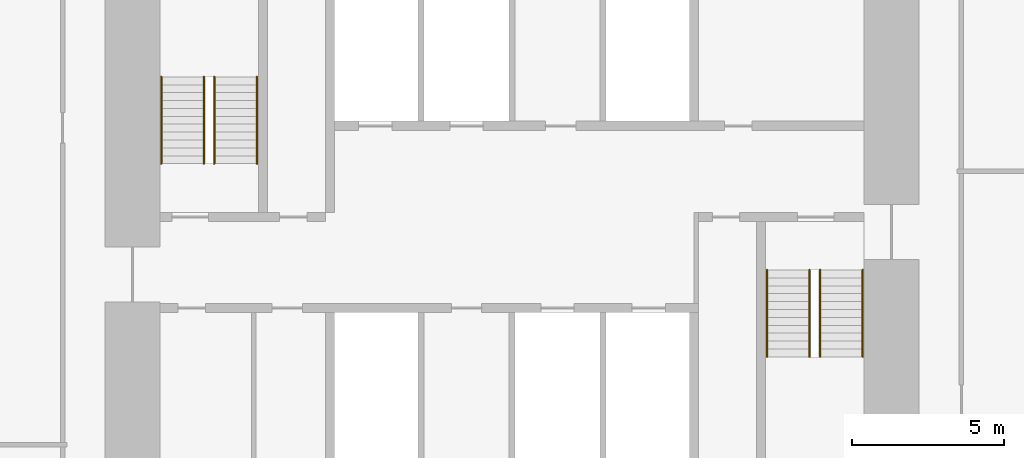
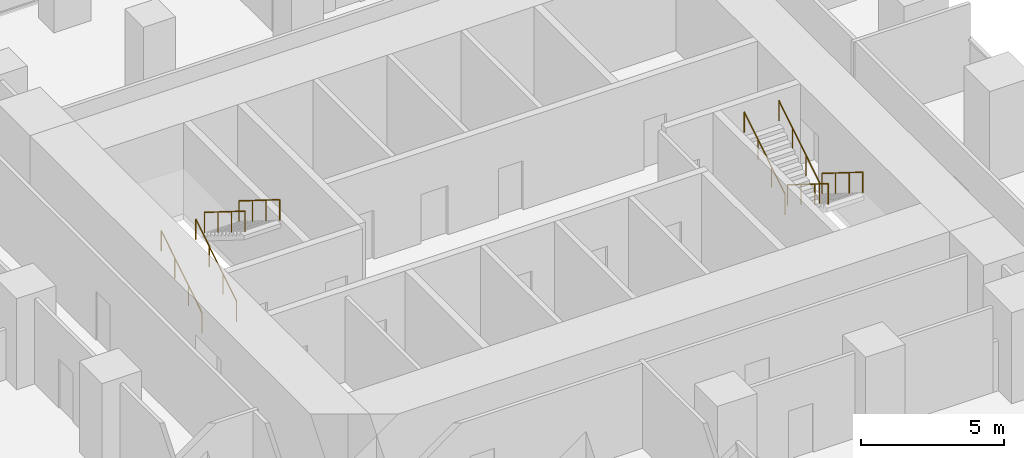
# One storey, part 11 of 11: 8 railings.
"""IFC4 building model written with IfcOpenShell, lengths in metres."""

from ifc_helpers import new_model, si_unit, direction, frame, origin, origin_2d, place, context, subcontext, project, spatial, circle, extrude, material, type_object, element, save


model = new_model("IFC4")

# Units and contexts
model_context = context("Model", 3, precision=1e-05, world=origin(), true_north=direction((0.0, 1.0)))
body_context = subcontext(model_context, "Body", "Model", "MODEL_VIEW")
ifc_project = project(units=[si_unit("LENGTHUNIT", "METRE"), si_unit("AREAUNIT", "SQUARE_METRE"), si_unit("VOLUMEUNIT", "CUBIC_METRE"), si_unit("PLANEANGLEUNIT", "RADIAN"), si_unit("MASSUNIT", "GRAM", prefix="KILO")], contexts=[model_context])

# Site, building, storey
site_placement = place(None, origin())
site = spatial("IfcSite", under=ifc_project, at=site_placement, CompositionType="ELEMENT")
building_placement = place(site_placement, origin())
building = spatial("IfcBuilding", under=site, at=building_placement, Name="Highveld Stack Headquarters", CompositionType="ELEMENT")
storey_placement = place(building_placement, frame((0.0, 0.0, 235.699951171875)))
storey = spatial("IfcBuildingStorey", under=building, at=storey_placement, Name="L58", CompositionType="ELEMENT", Elevation=235.699951171875)

# Railings
ifc_material = material(Name="Stainless steel handrail", Category="steel")
railing_type = type_object("IfcRailingType", Name="STAIR HANDRAIL HR1 900", PredefinedType="HANDRAIL", material=ifc_material)
for number, where, name in (
    (1, (-5.550048828125, 4.75, 0.16259765625), "Handrail S1 L58 flight 1"),
    (2, (-4.14990234375, 4.75, 0.16259765625), "Handrail S1 L58 flight 1"),
):
    element("IfcRailing", number, at=place(storey_placement, frame(where)), inside=storey, type_object=railing_type, Name=name, PredefinedType="HANDRAIL", context=body_context, shape_type="SweptSolid", body=[
        extrude(circle(Radius=0.02392578125, at=origin_2d()), frame((0.0, 0.0, 0.8759765625), z_axis=(0.0, 0.848026770018, 0.529953391661), x_axis=(-1.0, 0.0, 0.0)), (0.0, 0.0, 1.0), 3.37255859375),
        extrude(circle(Radius=0.02099609375, at=origin_2d()), origin(), (0.0, 0.0, 1.0), 0.851806640625),
        extrude(circle(Radius=0.02099609375, at=origin_2d()), frame((0.0, 0.953369140625, 0.595703125)), (0.0, 0.0, 1.0), 0.851806640625),
        extrude(circle(Radius=0.02099609375, at=origin_2d()), frame((0.0, 1.90673828125, 1.191650390625)), (0.0, 0.0, 1.0), 0.851806640625),
        extrude(circle(Radius=0.02099609375, at=origin_2d()), frame((0.0, 2.860107421875, 1.787353515625)), (0.0, 0.0, 1.0), 0.851806640625),
    ])
for number, where, name in (
    (3, (-3.800048828125, 7.610107421875, 2.112548828125), "Handrail S1 L58 flight 2"),
    (4, (-2.39990234375, 7.610107421875, 2.112548828125), "Handrail S1 L58 flight 2"),
):
    element("IfcRailing", number, at=place(storey_placement, frame(where)), inside=storey, type_object=railing_type, Name=name, PredefinedType="HANDRAIL", context=body_context, shape_type="SweptSolid", body=[
        extrude(circle(Radius=0.02392578125, at=origin_2d()), frame((0.0, 0.0, 0.8759765625), z_axis=(0.0, -0.847994237388, 0.530005446535), x_axis=(1.0, 0.0, 0.0)), (0.0, 0.0, 1.0), 3.372802734375),
        extrude(circle(Radius=0.02099609375, at=origin_2d()), origin(), (0.0, 0.0, 1.0), 0.851806640625),
        extrude(circle(Radius=0.02099609375, at=origin_2d()), frame((0.0, -0.953369140625, 0.595947265625)), (0.0, 0.0, 1.0), 0.851806640625),
        extrude(circle(Radius=0.02099609375, at=origin_2d()), frame((0.0, -1.90673828125, 1.191650390625)), (0.0, 0.0, 1.0), 0.851806640625),
        extrude(circle(Radius=0.02099609375, at=origin_2d()), frame((0.0, -2.860107421875, 1.78759765625)), (0.0, 0.0, 1.0), 0.851806640625),
    ])
for number, where, name in (
    (5, (16.14990234375, 1.25, 0.16259765625), "Handrail S2 L58 flight 1"),
    (6, (17.550048828125, 1.25, 0.16259765625), "Handrail S2 L58 flight 1"),
):
    element("IfcRailing", number, at=place(storey_placement, frame(where)), inside=storey, type_object=railing_type, Name=name, PredefinedType="HANDRAIL", context=body_context, shape_type="SweptSolid", body=[
        extrude(circle(Radius=0.02392578125, at=origin_2d()), frame((0.0, 0.0, 0.8759765625), z_axis=(0.0, -0.848026770018, 0.529953391661), x_axis=(1.0, 0.0, 0.0)), (0.0, 0.0, 1.0), 3.37255859375),
        extrude(circle(Radius=0.02099609375, at=origin_2d()), origin(), (0.0, 0.0, 1.0), 0.851806640625),
        extrude(circle(Radius=0.02099609375, at=origin_2d()), frame((0.0, -0.953369140625, 0.595703125)), (0.0, 0.0, 1.0), 0.851806640625),
        extrude(circle(Radius=0.02099609375, at=origin_2d()), frame((0.0, -1.90673828125, 1.191650390625)), (0.0, 0.0, 1.0), 0.851806640625),
        extrude(circle(Radius=0.02099609375, at=origin_2d()), frame((0.0, -2.860107421875, 1.787353515625)), (0.0, 0.0, 1.0), 0.851806640625),
    ])
for number, where, name in (
    (7, (14.39990234375, -1.610107421875, 2.112548828125), "Handrail S2 L58 flight 2"),
    (8, (15.800048828125, -1.610107421875, 2.112548828125), "Handrail S2 L58 flight 2"),
):
    element("IfcRailing", number, at=place(storey_placement, frame(where)), inside=storey, type_object=railing_type, Name=name, PredefinedType="HANDRAIL", context=body_context, shape_type="SweptSolid", body=[
        extrude(circle(Radius=0.02392578125, at=origin_2d()), frame((0.0, 0.0, 0.8759765625), z_axis=(0.0, 0.847994237388, 0.530005446535), x_axis=(-1.0, 0.0, 0.0)), (0.0, 0.0, 1.0), 3.372802734375),
        extrude(circle(Radius=0.02099609375, at=origin_2d()), origin(), (0.0, 0.0, 1.0), 0.851806640625),
        extrude(circle(Radius=0.02099609375, at=origin_2d()), frame((0.0, 0.953369140625, 0.595947265625)), (0.0, 0.0, 1.0), 0.851806640625),
        extrude(circle(Radius=0.02099609375, at=origin_2d()), frame((0.0, 1.90673828125, 1.191650390625)), (0.0, 0.0, 1.0), 0.851806640625),
        extrude(circle(Radius=0.02099609375, at=origin_2d()), frame((0.0, 2.860107421875, 1.78759765625)), (0.0, 0.0, 1.0), 0.851806640625),
    ])

save(model, "model.ifc")
